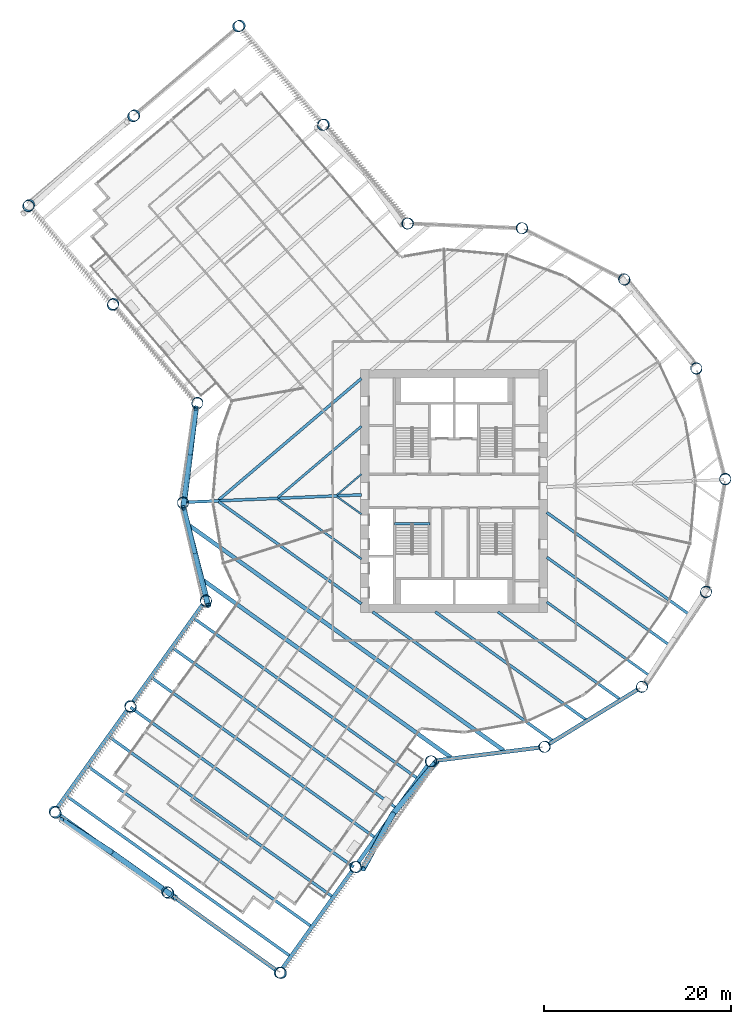
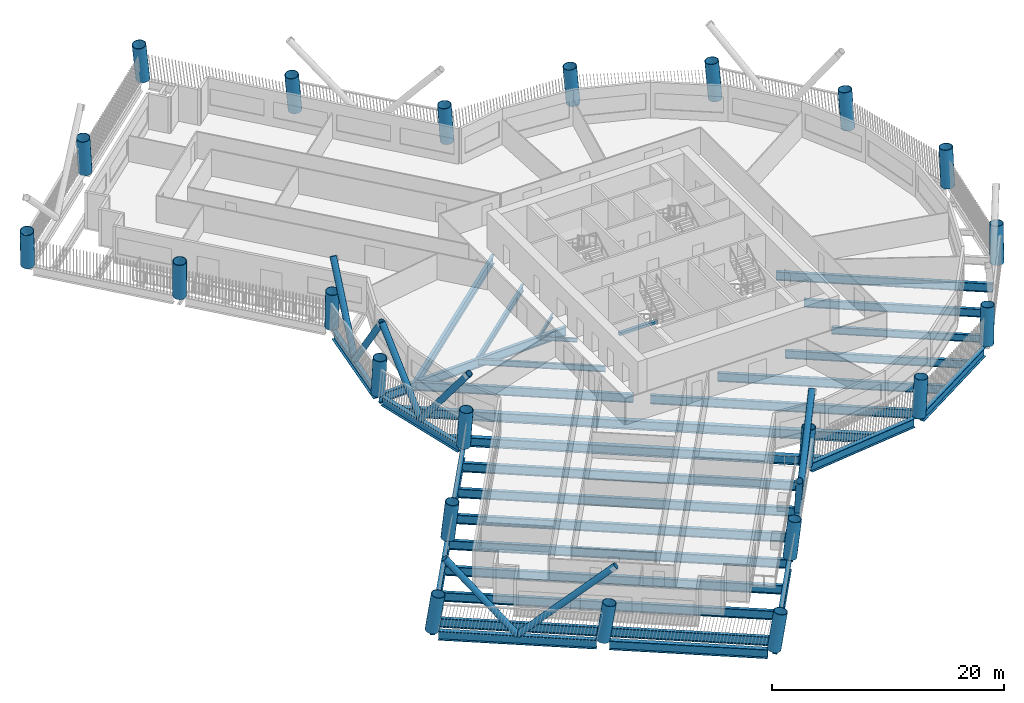
# One storey, part 1 of 21: 33 beams, 22 columns, 8 members.
"""IFC4 building model written with IfcOpenShell, lengths in metres."""

from ifc_helpers import new_model, si_unit, direction, frame, origin, origin_2d, place, context, subcontext, project, spatial, rectangle, hollow_circle, i_section, extrude, material, material_profile, profile_set, type_object, element, save


model = new_model("IFC4")

# Units and contexts
model_context = context("Model", 3, precision=1e-05, world=origin(), true_north=direction((0.0, 1.0)))
body_context = subcontext(model_context, "Body", "Model", "MODEL_VIEW")
ifc_project = project(units=[si_unit("LENGTHUNIT", "METRE"), si_unit("AREAUNIT", "SQUARE_METRE"), si_unit("VOLUMEUNIT", "CUBIC_METRE"), si_unit("PLANEANGLEUNIT", "RADIAN"), si_unit("MASSUNIT", "GRAM", prefix="KILO")], contexts=[model_context])

# Site, building, storey
site_placement = place(None, origin())
site = spatial("IfcSite", under=ifc_project, at=site_placement, CompositionType="ELEMENT")
building_placement = place(site_placement, origin())
building = spatial("IfcBuilding", under=site, at=building_placement, Name="Tarsis Ring Headquarters", CompositionType="ELEMENT")
storey_placement = place(building_placement, frame((0.0, 0.0, 47.800048828125)))
storey = spatial("IfcBuildingStorey", under=building, at=storey_placement, Name="L09", CompositionType="ELEMENT", Elevation=47.800048828125)

# Columns
ifc_material_1 = material(Name="Structural steel S460", Category="steel")
ifc_material_profile_1 = material_profile(ifc_material_1, hollow_circle(Radius=0.609619140625, WallThickness=0.050048828125, at=origin_2d()), Name="CHS 1219x50")
ifc_profile_set_1 = profile_set([ifc_material_profile_1], Name="Structural steel S460")
column_type = type_object("IfcColumnType", Name="XC Exo column CHS 1219x50", PredefinedType="COLUMN", material=ifc_profile_set_1)
for number, where, z_axis, x_axis, name in (
    (1, (-29.02294921875, -1.216552734375, 0.00048828125), (0.00362081726, -0.077660287446, 0.996973304275), (0.998914879695, 0.046573201786, 0.0), "Exo column XC1 F1"),
    (2, (-26.584228515625, -11.70849609375, 0.00048828125), (0.03171336911, -0.070980513147, 0.996973434437), (0.913015073929, 0.40792582019, 0.0), "Exo column XC1 AK"),
):
    element("IfcColumn", number, at=place(storey_placement, frame(where, z_axis=z_axis, x_axis=x_axis)), inside=storey, type_object=column_type, Name=name, PredefinedType="COLUMN", context=body_context, shape_type="SweptSolid", body=[
        extrude(hollow_circle(Radius=0.609619140625, WallThickness=0.050048828125, at=origin_2d()), origin(), (0.0, 0.0, 1.0), 3.91064453125),
    ])
column_1_placement = place(storey_placement, frame((-34.677001953125, -23.012451171875, 0.000732421875), z_axis=(0.06186439129, -0.092236446571, 0.993813480999), x_axis=(0.830495194196, 0.557025791519, 0.0)))
element("IfcColumn", 3, at=column_1_placement, inside=storey, type_object=column_type, Name="Exo column XC1 AI1", PredefinedType="COLUMN", context=body_context, shape_type="SweptSolid", body=[
    extrude(hollow_circle(Radius=0.609619140625, WallThickness=0.050048828125, at=origin_2d()), origin(), (0.0, 0.0, 1.0), 3.922607421875),
])
column_2_placement = place(storey_placement, frame((-42.769775390625, -34.31640625, 0.0009765625), z_axis=(0.091708518914, -0.113148483472, 0.989336630398), x_axis=(0.776868239131, 0.629663194914, 0.0)))
element("IfcColumn", 4, at=column_2_placement, inside=storey, type_object=column_type, Name="Exo column XC1 AT1", PredefinedType="COLUMN", context=body_context, shape_type="SweptSolid", body=[
    extrude(hollow_circle(Radius=0.609619140625, WallThickness=0.050048828125, at=origin_2d()), origin(), (0.0, 0.0, 1.0), 3.93994140625),
])
column_3_placement = place(storey_placement, frame((-30.736083984375, -42.931884765625, 0.0009765625), z_axis=(0.114599472797, -0.081112613863, 0.990094795819), x_axis=(0.577723187385, 0.816232760159, 0.0)))
element("IfcColumn", 5, at=column_3_placement, inside=storey, type_object=column_type, Name="Exo column XC1 AT2", PredefinedType="COLUMN", context=body_context, shape_type="SweptSolid", body=[
    extrude(hollow_circle(Radius=0.609619140625, WallThickness=0.050048828125, at=origin_2d()), origin(), (0.0, 0.0, 1.0), 3.93701171875),
])
column_4_placement = place(storey_placement, frame((-18.7021484375, -51.547119140625, 0.0009765625), z_axis=(0.137190249343, -0.049014221874, 0.9893313103), x_axis=(0.336444173332, 0.941703413093, 0.0)))
element("IfcColumn", 6, at=column_4_placement, inside=storey, type_object=column_type, Name="Exo column XC1 AT3", PredefinedType="COLUMN", context=body_context, shape_type="SweptSolid", body=[
    extrude(hollow_circle(Radius=0.609619140625, WallThickness=0.050048828125, at=origin_2d()), origin(), (0.0, 0.0, 1.0), 3.93994140625),
])
column_5_placement = place(storey_placement, frame((-10.609375, -40.2431640625, 0.000732421875), z_axis=(0.107546837369, -0.027758037886, 0.993812441613), x_axis=(0.249911912642, 0.968268576336, 0.0)))
element("IfcColumn", 7, at=column_5_placement, inside=storey, type_object=column_type, Name="Exo column XC1 AO1", PredefinedType="COLUMN", context=body_context, shape_type="SweptSolid", body=[
    extrude(hollow_circle(Radius=0.609619140625, WallThickness=0.050048828125, at=origin_2d()), origin(), (0.0, 0.0, 1.0), 3.922607421875),
])
for number, where, z_axis, x_axis, name in (
    (8, (-2.5166015625, -28.939208984375, 0.00048828125), (0.077535119232, -0.006367618488, 0.996969286749), (0.08185004421, 0.996644655965, 0.0), "Exo column XC1 AJ"),
    (9, (9.6357421875, -27.40380859375, 0.00048828125), (0.073227823508, 0.026157253239, 0.99697215807), (-0.336387254741, 0.941723746567, 0.0), "Exo column XC1 R1"),
    (10, (20.07470703125, -20.995849609375, 0.00048828125), (0.055935179843, 0.054062350161, 0.996969667518), (-0.69496678161, 0.719041843329, 0.0), "Exo column XC1 R2"),
    (11, (26.9443359375, -10.854736328125, 0.00048828125), (0.028654357066, 0.072291384493, 0.996971856949), (-0.929634807473, 0.368482190527, 0.0), "Exo column XC1 R3"),
):
    element("IfcColumn", number, at=place(storey_placement, frame(where, z_axis=z_axis, x_axis=x_axis)), inside=storey, type_object=column_type, Name=name, PredefinedType="COLUMN", context=body_context, shape_type="SweptSolid", body=[
        extrude(hollow_circle(Radius=0.609619140625, WallThickness=0.050048828125, at=origin_2d()), origin(), (0.0, 0.0, 1.0), 3.910888671875),
    ])
column_6_placement = place(storey_placement, frame((29.02294921875, 1.216552734375, 0.00048828125), z_axis=(-0.00362081726, 0.077660287446, 0.996973304275), x_axis=(-0.998914879695, -0.046573201786, 0.0)))
element("IfcColumn", 12, at=column_6_placement, inside=storey, type_object=column_type, Name="Exo column XC1 R4", PredefinedType="COLUMN", context=body_context, shape_type="SweptSolid", body=[
    extrude(hollow_circle(Radius=0.609619140625, WallThickness=0.050048828125, at=origin_2d()), origin(), (0.0, 0.0, 1.0), 3.91064453125),
])
column_7_placement = place(storey_placement, frame((25.94140625, 13.0712890625, 0.00048828125), z_axis=(-0.035334075096, 0.069294740912, 0.996970281412), x_axis=(-0.89086793714, -0.454262389569, 0.0)))
element("IfcColumn", 13, at=column_7_placement, inside=storey, type_object=column_type, Name="Exo column XC1 R5", PredefinedType="COLUMN", context=body_context, shape_type="SweptSolid", body=[
    extrude(hollow_circle(Radius=0.609619140625, WallThickness=0.050048828125, at=origin_2d()), origin(), (0.0, 0.0, 1.0), 3.910888671875),
])
for number, where, z_axis, x_axis, name in (
    (14, (18.247314453125, 22.60205078125, 0.00048828125), (-0.060742383254, 0.04850650749, 0.996974162959), (-0.624009233035, -0.781416967494, 0.0), "Exo column XC1 R6"),
    (15, (7.30859375, 28.114013671875, 0.00048828125), (-0.075350426674, 0.019165352932, 0.996972919616), (-0.246501040352, -0.969142526724, 0.0), "Exo column XC1 R7"),
    (16, (-4.929443359375, 28.627197265625, 0.00048828125), (-0.07653663028, -0.013609286624, 0.996973887092), (0.175067932863, -0.984556356377, 0.0), "Exo column XC1 BJ"),
):
    element("IfcColumn", number, at=place(storey_placement, frame(where, z_axis=z_axis, x_axis=x_axis)), inside=storey, type_object=column_type, Name=name, PredefinedType="COLUMN", context=body_context, shape_type="SweptSolid", body=[
        extrude(hollow_circle(Radius=0.609619140625, WallThickness=0.050048828125, at=origin_2d()), origin(), (0.0, 0.0, 1.0), 3.91064453125),
    ])
column_8_placement = place(storey_placement, frame((-13.939697265625, 39.21435546875, 0.000732421875), z_axis=(-0.104435104852, -0.037778372256, 0.993813917926), x_axis=(0.340167713784, -0.94036478374, 0.0)))
element("IfcColumn", 17, at=column_8_placement, inside=storey, type_object=column_type, Name="Exo column XC1 BO1", PredefinedType="COLUMN", context=body_context, shape_type="SweptSolid", body=[
    extrude(hollow_circle(Radius=0.609619140625, WallThickness=0.050048828125, at=origin_2d()), origin(), (0.0, 0.0, 1.0), 3.922607421875),
])
column_9_placement = place(storey_placement, frame((-22.9501953125, 49.80126953125, 0.0009765625), z_axis=(-0.131924452845, -0.061655627328, 0.989340448157), x_axis=(0.42339789194, -0.905943831096, 0.0)))
element("IfcColumn", 18, at=column_9_placement, inside=storey, type_object=column_type, Name="Exo column XC1 BT3", PredefinedType="COLUMN", context=body_context, shape_type="SweptSolid", body=[
    extrude(hollow_circle(Radius=0.609619140625, WallThickness=0.050048828125, at=origin_2d()), origin(), (0.0, 0.0, 1.0), 3.93994140625),
])
column_10_placement = place(storey_placement, frame((-34.220947265625, 40.209228515625, 0.0009765625), z_axis=(-0.106413751768, -0.091592722238, 0.990094382707), x_axis=(0.652354041918, -0.757914377746, 0.0)))
element("IfcColumn", 19, at=column_10_placement, inside=storey, type_object=column_type, Name="Exo column XC1 BT2", PredefinedType="COLUMN", context=body_context, shape_type="SweptSolid", body=[
    extrude(hollow_circle(Radius=0.609619140625, WallThickness=0.050048828125, at=origin_2d()), origin(), (0.0, 0.0, 1.0), 3.93701171875),
])
column_11_placement = place(storey_placement, frame((-45.491455078125, 30.616943359375, 0.0009765625), z_axis=(-0.08074021354, -0.121265232461, 0.989330966519), x_axis=(0.832377329088, -0.554209330507, 0.0)))
element("IfcColumn", 20, at=column_11_placement, inside=storey, type_object=column_type, Name="Exo column XC1 BT1", PredefinedType="COLUMN", context=body_context, shape_type="SweptSolid", body=[
    extrude(hollow_circle(Radius=0.609619140625, WallThickness=0.050048828125, at=origin_2d()), origin(), (0.0, 0.0, 1.0), 3.93994140625),
])
column_12_placement = place(storey_placement, frame((-36.481201171875, 20.02978515625, 0.000732421875), z_axis=(-0.052964540748, -0.097589189064, 0.993816435566), x_axis=(0.878900432186, -0.477005272825, 0.0)))
element("IfcColumn", 21, at=column_12_placement, inside=storey, type_object=column_type, Name="Exo column XC1 BI1", PredefinedType="COLUMN", context=body_context, shape_type="SweptSolid", body=[
    extrude(hollow_circle(Radius=0.609619140625, WallThickness=0.050048828125, at=origin_2d()), origin(), (0.0, 0.0, 1.0), 3.922607421875),
])
column_13_placement = place(storey_placement, frame((-27.470947265625, 9.44287109375, 0.00048828125), z_axis=(-0.0248463024, -0.073664916663, 0.996973490776), x_axis=(0.947553087487, -0.319598414254, 0.0)))
element("IfcColumn", 22, at=column_13_placement, inside=storey, type_object=column_type, Name="Exo column XC1 BK", PredefinedType="COLUMN", context=body_context, shape_type="SweptSolid", body=[
    extrude(hollow_circle(Radius=0.609619140625, WallThickness=0.050048828125, at=origin_2d()), origin(), (0.0, 0.0, 1.0), 3.91064453125),
])

# Beams
ifc_material_2 = material(Name="Structural steel S355", Category="steel")
ifc_material_profile_2 = material_profile(ifc_material_2, i_section(OverallWidth=0.177734375, OverallDepth=0.406494140625, WebThickness=0.0078125, FlangeThickness=0.0126953125, at=origin_2d()), Name="W16x40")
ifc_profile_set_2 = profile_set([ifc_material_profile_2], Name="Structural steel S355")
beam_type_1 = type_object("IfcBeamType", Name="FB Floor beam W16x40", PredefinedType="JOIST", material=ifc_profile_set_2)
beam_1_placement = place(storey_placement, frame((-12.534912109375, -0.618896484375, -0.36328125), z_axis=(0.813097258792, -0.582127862024, 0.0), x_axis=(0.582127862024, 0.813097258792, 0.0)))
element("IfcBeam", 23, at=beam_1_placement, inside=storey, type_object=beam_type_1, Name="Floor beam FB1", PredefinedType="JOIST", context=body_context, shape_type="SweptSolid", body=[
    extrude(i_section(OverallWidth=0.177734375, OverallDepth=0.406494140625, WebThickness=0.0078125, FlangeThickness=0.0126953125, at=origin_2d()), origin(), (0.0, 0.0, 1.0), 3.217529296875),
])
beam_2_placement = place(storey_placement, frame((-9.923828125, 1.796630859375, -0.36328125), z_axis=(-0.761552063712, -0.648103737264, 0.0), x_axis=(0.648103737264, -0.761552063712, 0.0)))
element("IfcBeam", 24, at=beam_2_placement, inside=storey, type_object=beam_type_1, Name="Floor beam FB1", PredefinedType="JOIST", context=body_context, shape_type="SweptSolid", body=[
    extrude(i_section(OverallWidth=0.177734375, OverallDepth=0.406494140625, WebThickness=0.0078125, FlangeThickness=0.0126953125, at=origin_2d()), origin(), (0.0, 0.0, 1.0), 3.43896484375),
])
ifc_material_profile_3 = material_profile(ifc_material_2, i_section(OverallWidth=0.228271484375, OverallDepth=0.607177734375, WebThickness=0.01123046875, FlangeThickness=0.017333984375, at=origin_2d()), Name="W24x76")
ifc_profile_set_3 = profile_set([ifc_material_profile_3], Name="Structural steel S355")
beam_type_2 = type_object("IfcBeamType", Name="FB Floor beam W24x76", PredefinedType="JOIST", material=ifc_profile_set_3)
beam_3_placement = place(storey_placement, frame((-18.864013671875, -0.884033203125, -0.463623046875), z_axis=(0.813097227426, -0.582127905836, 0.0), x_axis=(0.582127905836, 0.813097227426, 0.0)))
element("IfcBeam", 25, at=beam_3_placement, inside=storey, type_object=beam_type_2, Name="Floor beam FB4", PredefinedType="JOIST", context=body_context, shape_type="SweptSolid", body=[
    extrude(i_section(OverallWidth=0.228271484375, OverallDepth=0.607177734375, WebThickness=0.01123046875, FlangeThickness=0.017333984375, at=origin_2d()), origin(), (0.0, 0.0, 1.0), 11.00146484375),
])
ifc_material_profile_4 = material_profile(ifc_material_2, i_section(OverallWidth=0.2529296875, OverallDepth=0.67822265625, WebThickness=0.01171875, FlangeThickness=0.016357421875, at=origin_2d()), Name="W27x84")
ifc_profile_set_4 = profile_set([ifc_material_profile_4], Name="Structural steel S355")
beam_type_3 = type_object("IfcBeamType", Name="FB Floor beam W27x84", PredefinedType="JOIST", material=ifc_profile_set_4)
beam_4_placement = place(storey_placement, frame((-9.923828125, 6.917724609375, -0.499267578125), z_axis=(-0.761542880907, -0.648114527332, 0.0), x_axis=(0.648114527332, -0.761542880907, 0.0)))
element("IfcBeam", 26, at=beam_4_placement, inside=storey, type_object=beam_type_3, Name="Floor beam FB5", PredefinedType="JOIST", context=body_context, shape_type="SweptSolid", body=[
    extrude(i_section(OverallWidth=0.2529296875, OverallDepth=0.67822265625, WebThickness=0.01171875, FlangeThickness=0.016357421875, at=origin_2d()), origin(), (0.0, 0.0, 1.0), 11.749755859375),
])
ifc_material_profile_5 = material_profile(ifc_material_2, i_section(OverallWidth=0.2666015625, OverallDepth=0.7568359375, WebThickness=0.013916015625, FlangeThickness=0.019287109375, at=origin_2d()), Name="W30x108")
ifc_profile_set_5 = profile_set([ifc_material_profile_5], Name="Structural steel S355")
beam_type_4 = type_object("IfcBeamType", Name="FB Floor beam W30x108", PredefinedType="JOIST", material=ifc_profile_set_5)
beam_5_placement = place(storey_placement, frame((9.918701171875, -11.8974609375, -0.53857421875), z_axis=(0.813095459805, -0.582130374782, 0.0), x_axis=(0.582130374782, 0.813095459805, 0.0)))
element("IfcBeam", 27, at=beam_5_placement, inside=storey, type_object=beam_type_4, Name="Floor beam FB6", PredefinedType="JOIST", context=body_context, shape_type="SweptSolid", body=[
    extrude(i_section(OverallWidth=0.2666015625, OverallDepth=0.7568359375, WebThickness=0.013916015625, FlangeThickness=0.019287109375, at=origin_2d()), origin(), (0.0, 0.0, 1.0), 13.4033203125),
])
ifc_material_profile_6 = material_profile(ifc_material_2, i_section(OverallWidth=0.2919921875, OverallDepth=0.835693359375, WebThickness=0.013916015625, FlangeThickness=0.018798828125, at=origin_2d()), Name="W33x118")
ifc_profile_set_6 = profile_set([ifc_material_profile_6], Name="Structural steel S355")
beam_type_5 = type_object("IfcBeamType", Name="FB Floor beam W33x118", PredefinedType="JOIST", material=ifc_profile_set_6)
beam_6_placement = place(storey_placement, frame((9.918701171875, -7.10107421875, -0.577880859375), z_axis=(0.813102648457, -0.582120333841, 0.0), x_axis=(0.582120333841, 0.813102648457, 0.0)))
element("IfcBeam", 28, at=beam_6_placement, inside=storey, type_object=beam_type_5, Name="Floor beam FB7", PredefinedType="JOIST", context=body_context, shape_type="SweptSolid", body=[
    extrude(i_section(OverallWidth=0.2919921875, OverallDepth=0.835693359375, WebThickness=0.013916015625, FlangeThickness=0.018798828125, at=origin_2d()), origin(), (0.0, 0.0, 1.0), 16.094482421875),
])
beam_7_placement = place(storey_placement, frame((4.677734375, -12.94189453125, -0.577880859375), z_axis=(0.813100264263, -0.582123664057, 0.0), x_axis=(0.582123664057, 0.813100264263, 0.0)))
element("IfcBeam", 29, at=beam_7_placement, inside=storey, type_object=beam_type_5, Name="Floor beam FB7", PredefinedType="JOIST", context=body_context, shape_type="SweptSolid", body=[
    extrude(i_section(OverallWidth=0.2919921875, OverallDepth=0.835693359375, WebThickness=0.013916015625, FlangeThickness=0.018798828125, at=origin_2d()), origin(), (0.0, 0.0, 1.0), 16.06005859375),
])
ifc_material_profile_7 = material_profile(ifc_material_2, i_section(OverallWidth=0.3046875, OverallDepth=0.904296875, WebThickness=0.01513671875, FlangeThickness=0.02001953125, at=origin_2d()), Name="W36x135")
ifc_profile_set_7 = profile_set([ifc_material_profile_7], Name="Structural steel S355")
beam_type_6 = type_object("IfcBeamType", Name="FB Floor beam W36x135", PredefinedType="JOIST", material=ifc_profile_set_7)
beam_8_placement = place(storey_placement, frame((9.918701171875, -2.3046875, -0.612060546875), z_axis=(0.813103373524, -0.582119321071, 0.0), x_axis=(0.582119321071, 0.813103373524, 0.0)))
element("IfcBeam", 30, at=beam_8_placement, inside=storey, type_object=beam_type_6, Name="Floor beam FB8", PredefinedType="JOIST", context=body_context, shape_type="SweptSolid", body=[
    extrude(i_section(OverallWidth=0.3046875, OverallDepth=0.904296875, WebThickness=0.01513671875, FlangeThickness=0.02001953125, at=origin_2d()), origin(), (0.0, 0.0, 1.0), 18.785400390625),
])
beam_9_placement = place(storey_placement, frame((-2.02197265625, -12.94189453125, -0.612060546875), z_axis=(0.813102670273, -0.58212030337, 0.0), x_axis=(0.58212030337, 0.813102670273, 0.0)))
element("IfcBeam", 31, at=beam_9_placement, inside=storey, type_object=beam_type_6, Name="Floor beam FB8", PredefinedType="JOIST", context=body_context, shape_type="SweptSolid", body=[
    extrude(i_section(OverallWidth=0.3046875, OverallDepth=0.904296875, WebThickness=0.01513671875, FlangeThickness=0.02001953125, at=origin_2d()), origin(), (0.0, 0.0, 1.0), 19.863525390625),
])
beam_10_placement = place(storey_placement, frame((-25.193115234375, -1.1494140625, -0.612060546875), z_axis=(0.813103373524, -0.582119321071, 0.0), x_axis=(0.582119321071, 0.813103373524, 0.0)))
element("IfcBeam", 32, at=beam_10_placement, inside=storey, type_object=beam_type_6, Name="Floor beam FB8", PredefinedType="JOIST", context=body_context, shape_type="SweptSolid", body=[
    extrude(i_section(OverallWidth=0.3046875, OverallDepth=0.904296875, WebThickness=0.01513671875, FlangeThickness=0.02001953125, at=origin_2d()), origin(), (0.0, 0.0, 1.0), 18.785400390625),
])
beam_11_placement = place(storey_placement, frame((-9.923828125, 12.0390625, -0.612060546875), z_axis=(-0.76154130674, -0.648116376995, 0.0), x_axis=(0.648116376995, -0.76154130674, 0.0)))
element("IfcBeam", 33, at=beam_11_placement, inside=storey, type_object=beam_type_6, Name="Floor beam FB8", PredefinedType="JOIST", context=body_context, shape_type="SweptSolid", body=[
    extrude(i_section(OverallWidth=0.3046875, OverallDepth=0.904296875, WebThickness=0.01513671875, FlangeThickness=0.02001953125, at=origin_2d()), origin(), (0.0, 0.0, 1.0), 20.060791015625),
])
ifc_material_profile_8 = material_profile(ifc_material_2, i_section(OverallWidth=0.3046875, OverallDepth=0.91943359375, WebThickness=0.017333984375, FlangeThickness=0.02783203125, at=origin_2d()), Name="W36x170")
ifc_profile_set_8 = profile_set([ifc_material_profile_8], Name="Structural steel S355")
beam_type_7 = type_object("IfcBeamType", Name="FB Floor beam W36x170", PredefinedType="JOIST", material=ifc_profile_set_8)
beam_12_placement = place(storey_placement, frame((-8.7216796875, -12.94189453125, -0.619873046875), z_axis=(0.813104302921, -0.582118022888, 0.0), x_axis=(0.582118022888, 0.813104302921, 0.0)))
element("IfcBeam", 34, at=beam_12_placement, inside=storey, type_object=beam_type_7, Name="Floor beam FB9", PredefinedType="JOIST", context=body_context, shape_type="SweptSolid", body=[
    extrude(i_section(OverallWidth=0.3046875, OverallDepth=0.91943359375, WebThickness=0.017333984375, FlangeThickness=0.02783203125, at=origin_2d()), origin(), (0.0, 0.0, 1.0), 23.667236328125),
])
ifc_material_profile_9 = material_profile(ifc_material_2, i_section(OverallWidth=0.309814453125, OverallDepth=0.949951171875, WebThickness=0.0244140625, FlangeThickness=0.0439453125, at=origin_2d()), Name="W36x256")
ifc_profile_set_9 = profile_set([ifc_material_profile_9], Name="Structural steel S355")
beam_type_8 = type_object("IfcBeamType", Name="FB Floor beam W36x256", PredefinedType="JOIST", material=ifc_profile_set_9)
for number, where, z_axis, x_axis, name in (
    (35, (-27.834716796875, -13.6474609375, -0.635009765625), (0.813100684507, -0.582123077068, 0.0), (0.582123077068, 0.813100684507, 0.0), "Floor beam FB11"),
    (36, (-30.10498046875, -16.818603515625, -0.635009765625), (0.813100684507, -0.582123077068, 0.0), (0.582123077068, 0.813100684507, 0.0), "Floor beam FB11"),
    (37, (-32.375244140625, -19.98974609375, -0.635009765625), (0.813100684507, -0.582123077068, 0.0), (0.582123077068, 0.813100684507, 0.0), "Floor beam FB11"),
    (38, (-34.6455078125, -23.16064453125, -0.635009765625), (0.813100684507, -0.582123077068, 0.0), (0.582123077068, 0.813100684507, 0.0), "Floor beam FB11"),
    (39, (-36.915771484375, -26.331787109375, -0.635009765625), (0.813100684507, -0.582123077068, 0.0), (0.582123077068, 0.813100684507, 0.0), "Floor beam FB11"),
    (40, (-39.18603515625, -29.5029296875, -0.635009765625), (0.813100684507, -0.582123077068, 0.0), (0.582123077068, 0.813100684507, 0.0), "Floor beam FB11"),
    (41, (-41.456298828125, -32.674072265625, -0.635009765625), (0.813100684507, -0.582123077068, 0.0), (0.582123077068, 0.813100684507, 0.0), "Floor beam FB11"),
):
    element("IfcBeam", number, at=place(storey_placement, frame(where, z_axis=z_axis, x_axis=x_axis)), inside=storey, type_object=beam_type_8, Name=name, PredefinedType="JOIST", context=body_context, shape_type="SweptSolid", body=[
        extrude(i_section(OverallWidth=0.309814453125, OverallDepth=0.949951171875, WebThickness=0.0244140625, FlangeThickness=0.0439453125, at=origin_2d()), origin(), (0.0, 0.0, 1.0), 29.375732421875),
    ])
beam_type_9 = type_object("IfcBeamType", Name="FB Floor beam W36x256 spine", PredefinedType="BEAM", material=ifc_profile_set_9)
beam_13_placement = place(storey_placement, frame((-9.900146484375, -0.4150390625, -0.635009765625), z_axis=(-0.999122834116, -0.041875557881, 0.0), x_axis=(0.041875557881, -0.999122834116, 0.0)))
element("IfcBeam", 42, at=beam_13_placement, inside=storey, type_object=beam_type_9, Name="Floor beam SB11", PredefinedType="BEAM", context=body_context, shape_type="SweptSolid", body=[
    extrude(i_section(OverallWidth=0.309814453125, OverallDepth=0.949951171875, WebThickness=0.0244140625, FlangeThickness=0.0439453125, at=origin_2d()), origin(), (0.0, 0.0, 1.0), 19.023681640625),
])
ifc_material_profile_10 = material_profile(ifc_material_2, i_section(OverallWidth=0.42431640625, OverallDepth=0.947509765625, WebThickness=0.02392578125, FlangeThickness=0.042724609375, at=origin_2d()), Name="W36x302")
ifc_profile_set_10 = profile_set([ifc_material_profile_10], Name="Structural steel S355")
beam_type_10 = type_object("IfcBeamType", Name="FB Floor beam W36x302", PredefinedType="JOIST", material=ifc_profile_set_10)
beam_14_placement = place(storey_placement, frame((-28.2890625, -3.729248046875, -0.6337890625), z_axis=(0.813099127993, -0.582125251177, 0.0), x_axis=(0.582125251177, 0.813099127993, 0.0)))
element("IfcBeam", 43, at=beam_14_placement, inside=storey, type_object=beam_type_10, Name="Floor beam FB12", PredefinedType="JOIST", context=body_context, shape_type="SweptSolid", body=[
    extrude(i_section(OverallWidth=0.42431640625, OverallDepth=0.947509765625, WebThickness=0.02392578125, FlangeThickness=0.042724609375, at=origin_2d()), origin(), (0.0, 0.0, 1.0), 41.353271484375),
])
beam_15_placement = place(storey_placement, frame((-26.95166015625, -9.4833984375, -0.6337890625), z_axis=(0.813102502778, -0.582120537326, 0.0), x_axis=(0.582120537326, 0.813102502778, 0.0)))
element("IfcBeam", 44, at=beam_15_placement, inside=storey, type_object=beam_type_10, Name="Floor beam FB12", PredefinedType="JOIST", context=body_context, shape_type="SweptSolid", body=[
    extrude(i_section(OverallWidth=0.42431640625, OverallDepth=0.947509765625, WebThickness=0.02392578125, FlangeThickness=0.042724609375, at=origin_2d()), origin(), (0.0, 0.0, 1.0), 32.704833984375),
])
ifc_material_3 = material(Name="Concrete C40/50", Category="concrete")
ifc_material_profile_11 = material_profile(ifc_material_3, rectangle(XDim=0.300048828125, YDim=0.300048828125, at=origin_2d()), Name="Stair head beam 300x300 C40/50")
ifc_profile_set_11 = profile_set([ifc_material_profile_11], Name="Concrete C40/50")
beam_type_11 = type_object("IfcBeamType", Name="Stair head beam 300x300 C40/50", PredefinedType="BEAM", material=ifc_profile_set_11)
beam_16_placement = place(storey_placement, frame((-6.39990234375, -3.510009765625, -0.31005859375), z_axis=(1.0, 0.0, 0.0), x_axis=(0.0, 1.0, 0.0)))
element("IfcBeam", 45, at=beam_16_placement, inside=storey, type_object=beam_type_11, Name="Stair head beam L09 Exit stair C", PredefinedType="BEAM", context=body_context, shape_type="SweptSolid", body=[
    extrude(rectangle(XDim=0.300048828125, YDim=0.300048828125, at=origin_2d()), origin(), (0.0, 0.0, 1.0), 3.7998046875),
])

# Members
ifc_material_profile_12 = material_profile(ifc_material_2, hollow_circle(Radius=0.3046875, WallThickness=0.02490234375, at=origin_2d()), Name="CHS 610x25")
ifc_profile_set_12 = profile_set([ifc_material_profile_12], Name="Structural steel S355")
member_type = type_object("IfcMemberType", Name="XD X brace CHS 610x25", PredefinedType="BRACE", material=ifc_profile_set_12)
member_1_placement = place(storey_placement, frame((-27.8037109375, -6.46240234375, 0.0), z_axis=(0.149575358441, -0.590006867979, 0.79342240193), x_axis=(0.969335593721, 0.245740730743, 0.0)))
element("IfcMember", 46, at=member_1_placement, inside=storey, type_object=member_type, Name="X brace XD1", PredefinedType="BRACE", context=body_context, shape_type="SweptSolid", body=[
    extrude(hollow_circle(Radius=0.3046875, WallThickness=0.02490234375, at=origin_2d()), origin(), (0.0, 0.0, 1.0), 9.830810546875),
])
member_2_placement = place(storey_placement, frame((-27.8037109375, -6.46240234375, 0.0), z_axis=(-0.129747772752, 0.506800562193, 0.852243337097), x_axis=(-0.968756278958, -0.248014660816, 0.0)))
element("IfcMember", 47, at=member_2_placement, inside=storey, type_object=member_type, Name="X brace XD1", PredefinedType="BRACE", context=body_context, shape_type="SweptSolid", body=[
    extrude(hollow_circle(Radius=0.3046875, WallThickness=0.02490234375, at=origin_2d()), origin(), (0.0, 0.0, 1.0), 9.15234375),
])
member_3_placement = place(storey_placement, frame((-36.7529296875, -38.6240234375, 0.0), z_axis=(0.599847848811, -0.428217956468, 0.675878642979), x_axis=(0.581018240863, 0.813890535505, 0.0)))
element("IfcMember", 48, at=member_3_placement, inside=storey, type_object=member_type, Name="X brace XD1", PredefinedType="BRACE", context=body_context, shape_type="SweptSolid", body=[
    extrude(hollow_circle(Radius=0.3046875, WallThickness=0.02490234375, at=origin_2d()), origin(), (0.0, 0.0, 1.0), 11.54052734375),
])
member_4_placement = place(storey_placement, frame((-36.7529296875, -38.6240234375, 0.0), z_axis=(-0.52756931611, 0.341079017792, 0.778033238571), x_axis=(-0.542926566607, -0.839780175565, 0.0)))
element("IfcMember", 49, at=member_4_placement, inside=storey, type_object=member_type, Name="X brace XD1", PredefinedType="BRACE", context=body_context, shape_type="SweptSolid", body=[
    extrude(hollow_circle(Radius=0.3046875, WallThickness=0.02490234375, at=origin_2d()), origin(), (0.0, 0.0, 1.0), 10.025390625),
])
member_5_placement = place(storey_placement, frame((-6.56298828125, -34.59130859375, 0.0), z_axis=(0.435961357015, 0.525216890625, 0.730811133599), x_axis=(-0.769458669796, 0.638696606752, 0.0)))
element("IfcMember", 50, at=member_5_placement, inside=storey, type_object=member_type, Name="X brace XD1", PredefinedType="BRACE", context=body_context, shape_type="SweptSolid", body=[
    extrude(hollow_circle(Radius=0.3046875, WallThickness=0.02490234375, at=origin_2d()), origin(), (0.0, 0.0, 1.0), 10.673095703125),
])
member_6_placement = place(storey_placement, frame((-6.56298828125, -34.59130859375, 0.0), z_axis=(-0.311677115761, -0.571059413441, 0.759439610391), x_axis=(0.877772666896, -0.479077389625, 0.0)))
element("IfcMember", 51, at=member_6_placement, inside=storey, type_object=member_type, Name="X brace XD1", PredefinedType="BRACE", context=body_context, shape_type="SweptSolid", body=[
    extrude(hollow_circle(Radius=0.3046875, WallThickness=0.02490234375, at=origin_2d()), origin(), (0.0, 0.0, 1.0), 10.270751953125),
])
member_7_placement = place(storey_placement, frame((-28.2470703125, 4.11328125, 0.0), z_axis=(-0.075694472066, -0.603941557146, 0.793426078756), x_axis=(0.992237022131, -0.124361135057, 0.0)))
element("IfcMember", 52, at=member_7_placement, inside=storey, type_object=member_type, Name="X brace XD1", PredefinedType="BRACE", context=body_context, shape_type="SweptSolid", body=[
    extrude(hollow_circle(Radius=0.3046875, WallThickness=0.02490234375, at=origin_2d()), origin(), (0.0, 0.0, 1.0), 9.830810546875),
])
member_8_placement = place(storey_placement, frame((-28.2470703125, 4.11328125, 0.0), z_axis=(0.06386030088, 0.519231727915, 0.85224425765), x_axis=(-0.992521469211, 0.122070197652, 0.0)))
element("IfcMember", 53, at=member_8_placement, inside=storey, type_object=member_type, Name="X brace XD1", PredefinedType="BRACE", context=body_context, shape_type="SweptSolid", body=[
    extrude(hollow_circle(Radius=0.3046875, WallThickness=0.02490234375, at=origin_2d()), origin(), (0.0, 0.0, 1.0), 9.15234375),
])

# Beams
beam_type_12 = type_object("IfcBeamType", Name="XG Ring girder W36x302", PredefinedType="BEAM", material=ifc_profile_set_10)
beam_17_placement = place(storey_placement, frame((-28.89892578125, -1.750732421875, -0.4736328125), z_axis=(0.226411050288, -0.974031845633, 0.0), x_axis=(0.974031845633, 0.226411050288, 0.0)))
element("IfcBeam", 54, at=beam_17_placement, inside=storey, type_object=beam_type_12, Name="Ring girder XG1", PredefinedType="BEAM", context=body_context, shape_type="SweptSolid", body=[
    extrude(i_section(OverallWidth=0.42431640625, OverallDepth=0.947509765625, WebThickness=0.02392578125, FlangeThickness=0.042724609375, at=origin_2d()), origin(), (0.0, 0.0, 1.0), 9.674560546875),
])
for number, where, z_axis, x_axis, name in (
    (55, (-26.90380859375, -12.154541015625, -0.4736328125), (-0.58212880306, -0.813096585067, 0.0), (0.813096585067, -0.58212880306, 0.0), "Ring girder XG1"),
    (56, (-34.99658203125, -23.45849609375, -0.4736328125), (-0.58212880306, -0.813096585067, 0.0), (0.813096585067, -0.58212880306, 0.0), "Ring girder XG1"),
):
    element("IfcBeam", number, at=place(storey_placement, frame(where, z_axis=z_axis, x_axis=x_axis)), inside=storey, type_object=beam_type_12, Name=name, PredefinedType="BEAM", context=body_context, shape_type="SweptSolid", body=[
        extrude(i_section(OverallWidth=0.42431640625, OverallDepth=0.947509765625, WebThickness=0.02392578125, FlangeThickness=0.042724609375, at=origin_2d()), origin(), (0.0, 0.0, 1.0), 12.804931640625),
    ])
for number, where, z_axis, x_axis, name in (
    (57, (-42.323974609375, -34.6357421875, -0.4736328125), (0.813108207007, -0.582112569611, 0.0), (0.582112569611, 0.813108207007, 0.0), "Ring girder XG1"),
    (58, (-30.2900390625, -43.2509765625, -0.4736328125), (0.813099773922, -0.582124348957, 0.0), (0.582124348957, 0.813099773922, 0.0), "Ring girder XG1"),
):
    element("IfcBeam", number, at=place(storey_placement, frame(where, z_axis=z_axis, x_axis=x_axis)), inside=storey, type_object=beam_type_12, Name=name, PredefinedType="BEAM", context=body_context, shape_type="SweptSolid", body=[
        extrude(i_section(OverallWidth=0.42431640625, OverallDepth=0.947509765625, WebThickness=0.02392578125, FlangeThickness=0.042724609375, at=origin_2d()), origin(), (0.0, 0.0, 1.0), 13.702880859375),
    ])
beam_18_placement = place(storey_placement, frame((-18.3828125, -51.10107421875, -0.4736328125), z_axis=(0.582119778624, 0.813103045951, 0.0), x_axis=(-0.813103045951, 0.582119778624, 0.0)))
element("IfcBeam", 59, at=beam_18_placement, inside=storey, type_object=beam_type_12, Name="Ring girder XG1", PredefinedType="BEAM", context=body_context, shape_type="SweptSolid", body=[
    extrude(i_section(OverallWidth=0.42431640625, OverallDepth=0.947509765625, WebThickness=0.02392578125, FlangeThickness=0.042724609375, at=origin_2d()), origin(), (0.0, 0.0, 1.0), 12.80517578125),
])
beam_19_placement = place(storey_placement, frame((-10.2900390625, -39.797119140625, -0.4736328125), z_axis=(0.58212880306, 0.813096585067, 0.0), x_axis=(-0.813096585067, 0.58212880306, 0.0)))
element("IfcBeam", 60, at=beam_19_placement, inside=storey, type_object=beam_type_12, Name="Ring girder XG1", PredefinedType="BEAM", context=body_context, shape_type="SweptSolid", body=[
    extrude(i_section(OverallWidth=0.42431640625, OverallDepth=0.947509765625, WebThickness=0.02392578125, FlangeThickness=0.042724609375, at=origin_2d()), origin(), (0.0, 0.0, 1.0), 12.804931640625),
])
for number, where, z_axis, x_axis, name in (
    (61, (-1.97216796875, -28.87060546875, -0.4736328125), (0.992111276593, 0.125360340051, 0.0), (-0.125360340051, 0.992111276593, 0.0), "Ring girder XG1"),
    (62, (10.103271484375, -27.11669921875, -0.4736328125), (0.852244864095, 0.523143089053, 0.0), (-0.523143089053, 0.852244864095, 0.0), "Ring girder XG1"),
):
    element("IfcBeam", number, at=place(storey_placement, frame(where, z_axis=z_axis, x_axis=x_axis)), inside=storey, type_object=beam_type_12, Name=name, PredefinedType="BEAM", context=body_context, shape_type="SweptSolid", body=[
        extrude(i_section(OverallWidth=0.42431640625, OverallDepth=0.947509765625, WebThickness=0.02392578125, FlangeThickness=0.042724609375, at=origin_2d()), origin(), (0.0, 0.0, 1.0), 11.1513671875),
    ])
beam_20_placement = place(storey_placement, frame((-27.5498046875, 8.89990234375, -0.4736328125), z_axis=(-0.144120021141, -0.9895602152, 0.0), x_axis=(0.9895602152, -0.144120021141, 0.0)))
element("IfcBeam", 63, at=beam_20_placement, inside=storey, type_object=beam_type_12, Name="Ring girder XG1", PredefinedType="BEAM", context=body_context, shape_type="SweptSolid", body=[
    extrude(i_section(OverallWidth=0.42431640625, OverallDepth=0.947509765625, WebThickness=0.02392578125, FlangeThickness=0.042724609375, at=origin_2d()), origin(), (0.0, 0.0, 1.0), 9.674560546875),
])

save(model, "model.ifc")
